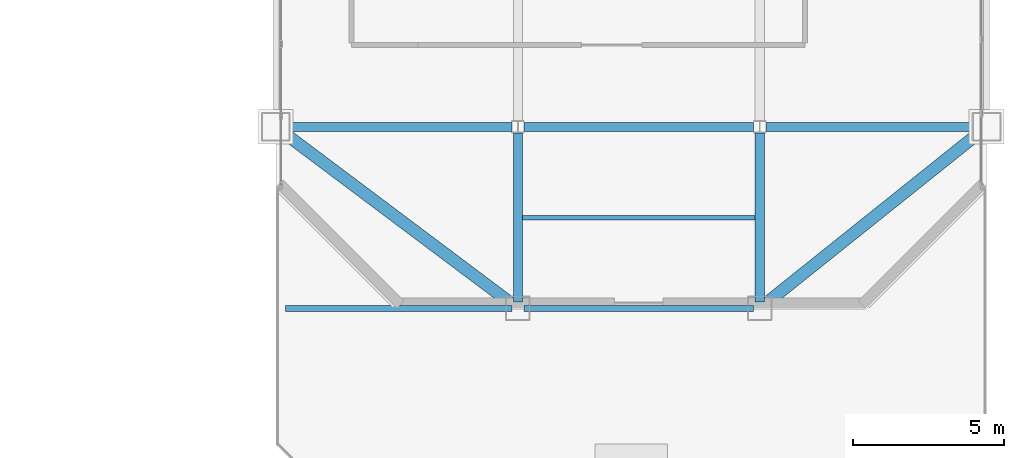
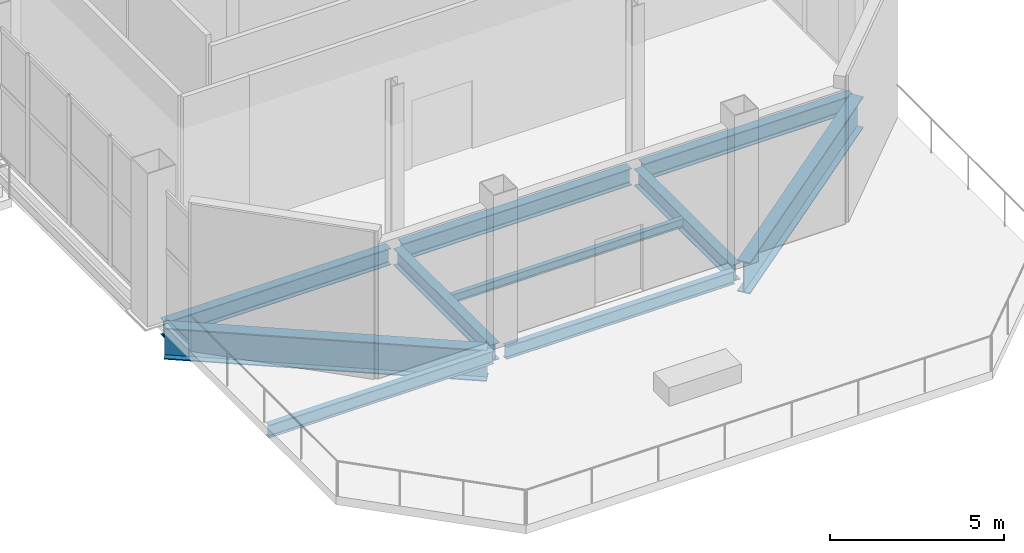
# One storey, part 9 of 21: 10 beams.
"""IFC4 building model written with IfcOpenShell, lengths in metres."""

from ifc_helpers import new_model, si_unit, direction, frame, origin, origin_2d, place, context, subcontext, project, spatial, i_section, extrude, material, material_profile, profile_set, type_object, element, save


model = new_model("IFC4")

# Units and contexts
model_context = context("Model", 3, precision=1e-05, world=origin(), true_north=direction((0.0, 1.0)))
body_context = subcontext(model_context, "Body", "Model", "MODEL_VIEW")
ifc_project = project(units=[si_unit("LENGTHUNIT", "METRE"), si_unit("AREAUNIT", "SQUARE_METRE"), si_unit("VOLUMEUNIT", "CUBIC_METRE"), si_unit("PLANEANGLEUNIT", "RADIAN"), si_unit("MASSUNIT", "GRAM", prefix="KILO")], contexts=[model_context])

# Site, building, storey
site_placement = place(None, origin())
site = spatial("IfcSite", under=ifc_project, at=site_placement, CompositionType="ELEMENT")
building_placement = place(site_placement, origin())
building = spatial("IfcBuilding", under=site, at=building_placement, Name="Qianrong Seaharbour Tower", CompositionType="ELEMENT")
storey_placement = place(building_placement, frame((0.0, 0.0, 200.39990234375)))
storey = spatial("IfcBuildingStorey", under=building, at=storey_placement, Name="L48", CompositionType="ELEMENT", Elevation=200.39990234375)

# Beams
ifc_material_1 = material(Name="Structural steel SN490B", Category="steel")
ifc_material_profile_1 = material_profile(ifc_material_1, i_section(OverallWidth=0.300048828125, OverallDepth=0.587890625, WebThickness=0.011962890625, FlangeThickness=0.02001953125, FilletRadius=0.02392578125, at=origin_2d()), Name="H588x300x12x20")
ifc_profile_set_1 = profile_set([ifc_material_profile_1], Name="Structural steel SN490B")
beam_type_1 = type_object("IfcBeamType", Name="BM-G-588", PredefinedType="BEAM", material=ifc_profile_set_1)
beam_1_placement = place(storey_placement, frame((40.820068359375, 18.5, -0.593994140625), z_axis=(1.0, 0.0, 0.0), x_axis=(0.0, 1.0, 0.0)))
element("IfcBeam", 1, at=beam_1_placement, inside=storey, type_object=beam_type_1, Name="L48 Primary Girder GD G6-G7", PredefinedType="BEAM", context=body_context, shape_type="SweptSolid", body=[
    extrude(i_section(OverallWidth=0.300048828125, OverallDepth=0.587890625, WebThickness=0.011962890625, FlangeThickness=0.02001953125, FilletRadius=0.02392578125, at=origin_2d()), origin(), (0.0, 0.0, 1.0), 7.47998046875),
])
beam_2_placement = place(storey_placement, frame((48.699951171875, 18.5, -0.593994140625), z_axis=(1.0, 0.0, 0.0), x_axis=(0.0, 1.0, 0.0)))
element("IfcBeam", 2, at=beam_2_placement, inside=storey, type_object=beam_type_1, Name="L48 Primary Girder GD G7-G8", PredefinedType="BEAM", context=body_context, shape_type="SweptSolid", body=[
    extrude(i_section(OverallWidth=0.300048828125, OverallDepth=0.587890625, WebThickness=0.011962890625, FlangeThickness=0.02001953125, FilletRadius=0.02392578125, at=origin_2d()), origin(), (0.0, 0.0, 1.0), 7.60009765625),
])
beam_3_placement = place(storey_placement, frame((56.699951171875, 18.5, -0.593994140625), z_axis=(1.0, 0.0, 0.0), x_axis=(0.0, 1.0, 0.0)))
element("IfcBeam", 3, at=beam_3_placement, inside=storey, type_object=beam_type_1, Name="L48 Primary Girder GD G8-G9", PredefinedType="BEAM", context=body_context, shape_type="SweptSolid", body=[
    extrude(i_section(OverallWidth=0.300048828125, OverallDepth=0.587890625, WebThickness=0.011962890625, FlangeThickness=0.02001953125, FilletRadius=0.02392578125, at=origin_2d()), origin(), (0.0, 0.0, 1.0), 6.97998046875),
])
for number, where, z_axis, x_axis, name in (
    (4, (48.5, 12.699951171875, -0.593994140625), (0.0, 1.0, 0.0), (-1.0, 0.0, 0.0), "L48 Primary Girder G7 GC-GD"),
    (5, (56.5, 12.699951171875, -0.593994140625), (0.0, 1.0, 0.0), (-1.0, 0.0, 0.0), "L48 Primary Girder G8 GC-GD"),
):
    element("IfcBeam", number, at=place(storey_placement, frame(where, z_axis=z_axis, x_axis=x_axis)), inside=storey, type_object=beam_type_1, Name=name, PredefinedType="BEAM", context=body_context, shape_type="SweptSolid", body=[
        extrude(i_section(OverallWidth=0.300048828125, OverallDepth=0.587890625, WebThickness=0.011962890625, FlangeThickness=0.02001953125, FilletRadius=0.02392578125, at=origin_2d()), origin(), (0.0, 0.0, 1.0), 5.60009765625),
    ])
ifc_material_2 = material(Name="Structural steel SN400B", Category="steel")
ifc_material_profile_2 = material_profile(ifc_material_2, i_section(OverallWidth=0.14990234375, OverallDepth=0.300048828125, WebThickness=0.006591796875, FlangeThickness=0.009033203125, FilletRadius=0.012939453125, at=origin_2d()), Name="H300x150x6.5x9")
ifc_profile_set_2 = profile_set([ifc_material_profile_2], Name="Structural steel SN400B")
beam_type_2 = type_object("IfcBeamType", Name="BM-J-300", PredefinedType="JOIST", material=ifc_profile_set_2)
beam_4_placement = place(storey_placement, frame((48.64990234375, 15.5, -0.449951171875), z_axis=(1.0, 0.0, 0.0), x_axis=(0.0, 1.0, 0.0)))
element("IfcBeam", 6, at=beam_4_placement, inside=storey, type_object=beam_type_2, Name="L48 Composite Floor Joist G7-G8/GC-GD", PredefinedType="JOIST", context=body_context, shape_type="SweptSolid", body=[
    extrude(i_section(OverallWidth=0.14990234375, OverallDepth=0.300048828125, WebThickness=0.006591796875, FlangeThickness=0.009033203125, FilletRadius=0.012939453125, at=origin_2d()), origin(), (0.0, 0.0, 1.0), 7.7001953125),
])
ifc_material_profile_3 = material_profile(ifc_material_2, i_section(OverallWidth=0.199951171875, OverallDepth=0.449951171875, WebThickness=0.009033203125, FlangeThickness=0.013916015625, FilletRadius=0.01806640625, at=origin_2d()), Name="H450x200x9x14")
ifc_profile_set_3 = profile_set([ifc_material_profile_3], Name="Structural steel SN400B")
beam_type_3 = type_object("IfcBeamType", Name="BM-SP-450", PredefinedType="SPANDREL", material=ifc_profile_set_3)
beam_5_placement = place(storey_placement, frame((40.820068359375, 12.5, -0.52490234375), z_axis=(1.0, 0.0, 0.0), x_axis=(0.0, 1.0, 0.0)))
element("IfcBeam", 7, at=beam_5_placement, inside=storey, type_object=beam_type_3, Name="L48 Spandrel Girder GC G6-G7", PredefinedType="SPANDREL", context=body_context, shape_type="SweptSolid", body=[
    extrude(i_section(OverallWidth=0.199951171875, OverallDepth=0.449951171875, WebThickness=0.009033203125, FlangeThickness=0.013916015625, FilletRadius=0.01806640625, at=origin_2d()), origin(), (0.0, 0.0, 1.0), 7.47998046875),
])
beam_6_placement = place(storey_placement, frame((48.699951171875, 12.5, -0.52490234375), z_axis=(1.0, 0.0, 0.0), x_axis=(0.0, 1.0, 0.0)))
element("IfcBeam", 8, at=beam_6_placement, inside=storey, type_object=beam_type_3, Name="L48 Spandrel Girder GC G7-G8", PredefinedType="SPANDREL", context=body_context, shape_type="SweptSolid", body=[
    extrude(i_section(OverallWidth=0.199951171875, OverallDepth=0.449951171875, WebThickness=0.009033203125, FlangeThickness=0.013916015625, FilletRadius=0.01806640625, at=origin_2d()), origin(), (0.0, 0.0, 1.0), 7.60009765625),
])
ifc_material_profile_4 = material_profile(ifc_material_1, i_section(OverallWidth=0.39990234375, OverallDepth=1.10009765625, WebThickness=0.02001953125, FlangeThickness=0.035888671875, at=origin_2d()), Name="BH1100x400x20x36")
ifc_profile_set_4 = profile_set([ifc_material_profile_4], Name="Structural steel SN490B")
beam_type_4 = type_object("IfcBeamType", Name="BM-TG-1100", PredefinedType="BEAM", material=ifc_profile_set_4)
beam_7_placement = place(storey_placement, frame((48.243896484375, 12.69189453125, -0.849853515625), z_axis=(-0.799981219482, 0.600025039875, 0.0), x_axis=(-0.600025039875, -0.799981219482, 0.0)))
element("IfcBeam", 9, at=beam_7_placement, inside=storey, type_object=beam_type_4, Name="L48 Chamfer Corner Spandrel Girder G6/GC", PredefinedType="BEAM", context=body_context, shape_type="SweptSolid", body=[
    extrude(i_section(OverallWidth=0.39990234375, OverallDepth=1.10009765625, WebThickness=0.02001953125, FlangeThickness=0.035888671875, at=origin_2d()), origin(), (0.0, 0.0, 1.0), 9.35986328125),
])
beam_8_placement = place(storey_placement, frame((56.75, 12.699951171875, -0.849853515625), z_axis=(0.780863495394, 0.624701690058, 0.0), x_axis=(-0.624701690058, 0.780863495394, 0.0)))
element("IfcBeam", 10, at=beam_8_placement, inside=storey, type_object=beam_type_4, Name="L48 Chamfer Corner Spandrel Girder G9/GC", PredefinedType="BEAM", context=body_context, shape_type="SweptSolid", body=[
    extrude(i_section(OverallWidth=0.39990234375, OverallDepth=1.10009765625, WebThickness=0.02001953125, FlangeThickness=0.035888671875, at=origin_2d()), origin(), (0.0, 0.0, 1.0), 8.96435546875),
])

save(model, "model.ifc")
